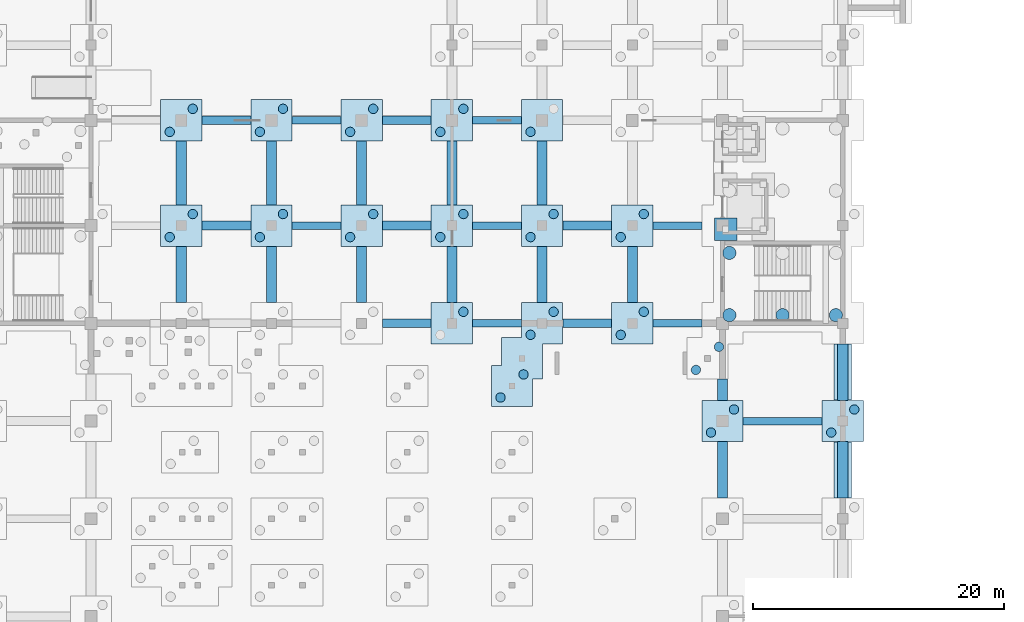
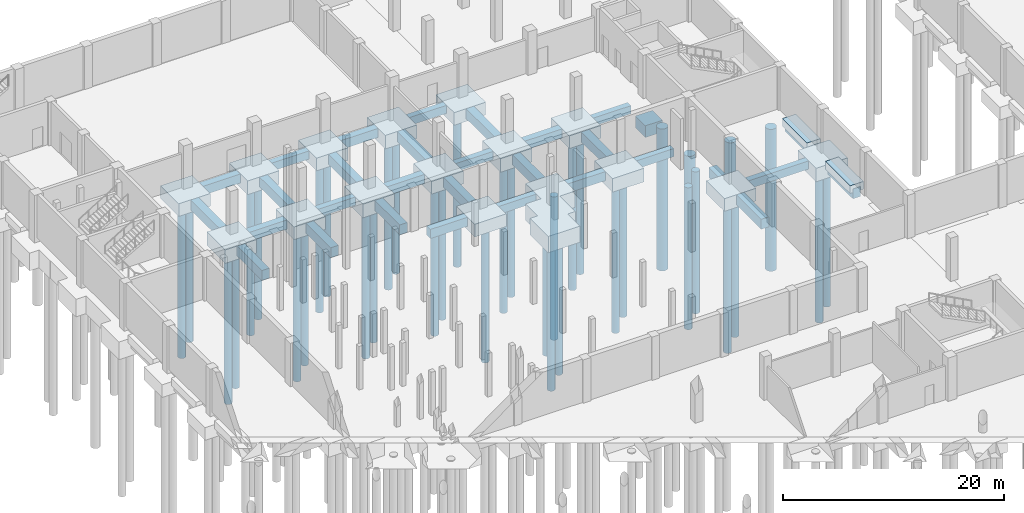
# One storey, part 9 of 42: 49 footings, 38 piles.
"""IFC4 building model written with IfcOpenShell, lengths in metres."""

from ifc_helpers import new_model, si_unit, direction, frame, origin, origin_2d, place, context, subcontext, project, spatial, polyline, rectangle, circle, outline, extrude, material, layer, layer_set, material_profile, profile_set, type_object, element, save


model = new_model("IFC4")

# Units and contexts
model_context = context("Model", 3, precision=1e-05, world=origin(), true_north=direction((0.0, 1.0)))
body_context = subcontext(model_context, "Body", "Model", "MODEL_VIEW")
ifc_project = project(units=[si_unit("LENGTHUNIT", "METRE"), si_unit("AREAUNIT", "SQUARE_METRE"), si_unit("VOLUMEUNIT", "CUBIC_METRE"), si_unit("PLANEANGLEUNIT", "RADIAN"), si_unit("MASSUNIT", "GRAM", prefix="KILO")], contexts=[model_context])

# Site, building, storey
site_placement = place(None, origin())
site = spatial("IfcSite", under=ifc_project, at=site_placement, CompositionType="ELEMENT")
building_placement = place(site_placement, origin())
building = spatial("IfcBuilding", under=site, at=building_placement, Name="Pellamere Symphony Hall", CompositionType="ELEMENT")
storey_placement = place(building_placement, frame((0.0, 0.0, -4.800048828125)))
storey = spatial("IfcBuildingStorey", under=building, at=storey_placement, Name="B1", CompositionType="ELEMENT", Elevation=-4.800048828125)

# Piles
ifc_material_1 = material(Name="Concrete 40 MPa", Category="concrete")
ifc_material_profile_1 = material_profile(ifc_material_1, circle(Radius=0.52490234375, at=origin_2d()), Name="PILE D1050")
ifc_profile_set_1 = profile_set([ifc_material_profile_1], Name="Concrete 40 MPa")
pile_type_1 = type_object("IfcPileType", Name="Bored Pile 1050mm Concrete 40 MPa", PredefinedType="BORED", material=ifc_profile_set_1)
for number, where, z_axis, x_axis, name in (
    (1, (109.75, 78.050048828125, -2.300048828125), (0.0, 0.0, -1.0), (1.0, 0.0, 0.0), "Bored Pile BP-1050-P455"),
    (2, (109.75, 83.01708984375, -2.300048828125), (0.0, 0.0, -1.0), (1.0, 0.0, 0.0), "Bored Pile BP-1050-P456"),
    (3, (114.0, 78.050048828125, -2.300048828125), (0.0, 0.0, -1.0), (1.0, 0.0, 0.0), "Bored Pile BP-1050-P459"),
    (4, (118.25, 78.050048828125, -2.300048828125), (0.0, 0.0, -1.0), (1.0, 0.0, 0.0), "Bored Pile BP-1050-P463"),
):
    element("IfcPile", number, at=place(storey_placement, frame(where, z_axis=z_axis, x_axis=x_axis)), inside=storey, type_object=pile_type_1, Name=name, PredefinedType="BORED", context=body_context, shape_type="SweptSolid", body=[
        extrude(circle(Radius=0.52490234375, at=origin_2d()), origin(), (0.0, 0.0, 1.0), 15.699951171875),
    ])
ifc_material_2 = material(Name="Concrete 35 MPa", Category="concrete")
ifc_material_profile_2 = material_profile(ifc_material_2, circle(Radius=0.375, at=origin_2d()), Name="PILE D750")
ifc_profile_set_2 = profile_set([ifc_material_profile_2], Name="Concrete 35 MPa")
pile_type_2 = type_object("IfcPileType", Name="Bored Pile 750mm Concrete 35 MPa", PredefinedType="BORED", material=ifc_profile_set_2)
for number, where, z_axis, x_axis, name in (
    (5, (108.280029296875, 68.679931640625, -1.75), (0.0, 0.0, -1.0), (1.0, 0.0, 0.0), "Bored Pile BP-750-P397"),
    (6, (110.1201171875, 70.52001953125, -1.75), (0.0, 0.0, -1.0), (1.0, 0.0, 0.0), "Bored Pile BP-750-P398"),
):
    element("IfcPile", number, at=place(storey_placement, frame(where, z_axis=z_axis, x_axis=x_axis)), inside=storey, type_object=pile_type_2, Name=name, PredefinedType="BORED", context=body_context, shape_type="SweptSolid", body=[
        extrude(circle(Radius=0.375, at=origin_2d()), origin(), (0.0, 0.0, 1.0), 16.25),
    ])
for number, where, z_axis, x_axis, name in (
    (7, (117.8798828125, 68.679931640625, -1.849853515625), (0.0, 0.0, -1.0), (1.0, 0.0, 0.0), "Bored Pile BP-750-P399"),
    (8, (119.719970703125, 70.52001953125, -1.849853515625), (0.0, 0.0, -1.0), (1.0, 0.0, 0.0), "Bored Pile BP-750-P400"),
):
    element("IfcPile", number, at=place(storey_placement, frame(where, z_axis=z_axis, x_axis=x_axis)), inside=storey, type_object=pile_type_2, Name=name, PredefinedType="BORED", context=body_context, shape_type="SweptSolid", body=[
        extrude(circle(Radius=0.375, at=origin_2d()), origin(), (0.0, 0.0, 1.0), 16.14990234375),
    ])
for number, where, z_axis, x_axis, name in (
    (9, (93.8798828125, 76.47998046875, -2.14990234375), (0.0, 0.0, -1.0), (1.0, 0.0, 0.0), "Bored Pile BP-750-P451"),
    (10, (95.719970703125, 78.320068359375, -2.14990234375), (0.0, 0.0, -1.0), (1.0, 0.0, 0.0), "Bored Pile BP-750-P452"),
    (11, (91.47998046875, 71.47998046875, -2.14990234375), (0.0, 0.0, -1.0), (1.0, 0.0, 0.0), "Bored Pile BP-750-P453"),
    (12, (93.320068359375, 73.320068359375, -2.14990234375), (0.0, 0.0, -1.0), (1.0, 0.0, 0.0), "Bored Pile BP-750-P454"),
):
    element("IfcPile", number, at=place(storey_placement, frame(where, z_axis=z_axis, x_axis=x_axis)), inside=storey, type_object=pile_type_2, Name=name, PredefinedType="BORED", context=body_context, shape_type="SweptSolid", body=[
        extrude(circle(Radius=0.375, at=origin_2d()), origin(), (0.0, 0.0, 1.0), 15.85009765625),
    ])
for number, where, z_axis, x_axis, name in (
    (13, (107.080078125, 73.679931640625, -2.300048828125), (0.0, 0.0, -1.0), (1.0, 0.0, 0.0), "Bored Pile BP-750-P468"),
    (14, (108.919921875, 75.52001953125, -2.300048828125), (0.0, 0.0, -1.0), (1.0, 0.0, 0.0), "Bored Pile BP-750-P469"),
):
    element("IfcPile", number, at=place(storey_placement, frame(where, z_axis=z_axis, x_axis=x_axis)), inside=storey, type_object=pile_type_2, Name=name, PredefinedType="BORED", context=body_context, shape_type="SweptSolid", body=[
        extrude(circle(Radius=0.375, at=origin_2d()), origin(), (0.0, 0.0, 1.0), 15.699951171875),
    ])
pile_1_placement = place(storey_placement, frame((88.52001953125, 78.320068359375, -1.75), z_axis=(0.0, 0.0, -1.0), x_axis=(1.0, 0.0, 0.0)))
element("IfcPile", 15, at=pile_1_placement, inside=storey, type_object=pile_type_2, Name="Bored Pile BP-750-P473", PredefinedType="BORED", context=body_context, shape_type="SweptSolid", body=[
    extrude(circle(Radius=0.375, at=origin_2d()), origin(), (0.0, 0.0, 1.0), 16.25),
])
for number, where, z_axis, x_axis, name in (
    (16, (101.080078125, 76.47998046875, -1.849853515625), (0.0, 0.0, -1.0), (1.0, 0.0, 0.0), "Bored Pile BP-750-P474"),
    (17, (102.919921875, 78.320068359375, -1.849853515625), (0.0, 0.0, -1.0), (1.0, 0.0, 0.0), "Bored Pile BP-750-P475"),
    (18, (65.080078125, 84.280029296875, -1.849853515625), (0.0, 0.0, -1.0), (1.0, 0.0, 0.0), "Bored Pile BP-750-P482"),
    (19, (66.919921875, 86.1201171875, -1.849853515625), (0.0, 0.0, -1.0), (1.0, 0.0, 0.0), "Bored Pile BP-750-P483"),
):
    element("IfcPile", number, at=place(storey_placement, frame(where, z_axis=z_axis, x_axis=x_axis)), inside=storey, type_object=pile_type_2, Name=name, PredefinedType="BORED", context=body_context, shape_type="SweptSolid", body=[
        extrude(circle(Radius=0.375, at=origin_2d()), origin(), (0.0, 0.0, 1.0), 16.14990234375),
    ])
for number, where, z_axis, x_axis, name in (
    (20, (72.280029296875, 84.280029296875, -1.75), (0.0, 0.0, -1.0), (1.0, 0.0, 0.0), "Bored Pile BP-750-P484"),
    (21, (74.1201171875, 86.1201171875, -1.75), (0.0, 0.0, -1.0), (1.0, 0.0, 0.0), "Bored Pile BP-750-P485"),
):
    element("IfcPile", number, at=place(storey_placement, frame(where, z_axis=z_axis, x_axis=x_axis)), inside=storey, type_object=pile_type_2, Name=name, PredefinedType="BORED", context=body_context, shape_type="SweptSolid", body=[
        extrude(circle(Radius=0.375, at=origin_2d()), origin(), (0.0, 0.0, 1.0), 16.25),
    ])
for number, where, z_axis, x_axis, name in (
    (22, (79.47998046875, 84.280029296875, -1.849853515625), (0.0, 0.0, -1.0), (1.0, 0.0, 0.0), "Bored Pile BP-750-P486"),
    (23, (81.320068359375, 86.1201171875, -1.849853515625), (0.0, 0.0, -1.0), (1.0, 0.0, 0.0), "Bored Pile BP-750-P487"),
):
    element("IfcPile", number, at=place(storey_placement, frame(where, z_axis=z_axis, x_axis=x_axis)), inside=storey, type_object=pile_type_2, Name=name, PredefinedType="BORED", context=body_context, shape_type="SweptSolid", body=[
        extrude(circle(Radius=0.375, at=origin_2d()), origin(), (0.0, 0.0, 1.0), 16.14990234375),
    ])
for number, where, z_axis, x_axis, name in (
    (24, (86.679931640625, 84.280029296875, -1.75), (0.0, 0.0, -1.0), (1.0, 0.0, 0.0), "Bored Pile BP-750-P488"),
    (25, (88.52001953125, 86.1201171875, -1.75), (0.0, 0.0, -1.0), (1.0, 0.0, 0.0), "Bored Pile BP-750-P489"),
):
    element("IfcPile", number, at=place(storey_placement, frame(where, z_axis=z_axis, x_axis=x_axis)), inside=storey, type_object=pile_type_2, Name=name, PredefinedType="BORED", context=body_context, shape_type="SweptSolid", body=[
        extrude(circle(Radius=0.375, at=origin_2d()), origin(), (0.0, 0.0, 1.0), 16.25),
    ])
for number, where, z_axis, x_axis, name in (
    (26, (93.8798828125, 84.280029296875, -1.849853515625), (0.0, 0.0, -1.0), (1.0, 0.0, 0.0), "Bored Pile BP-750-P490"),
    (27, (95.719970703125, 86.1201171875, -1.849853515625), (0.0, 0.0, -1.0), (1.0, 0.0, 0.0), "Bored Pile BP-750-P491"),
):
    element("IfcPile", number, at=place(storey_placement, frame(where, z_axis=z_axis, x_axis=x_axis)), inside=storey, type_object=pile_type_2, Name=name, PredefinedType="BORED", context=body_context, shape_type="SweptSolid", body=[
        extrude(circle(Radius=0.375, at=origin_2d()), origin(), (0.0, 0.0, 1.0), 16.14990234375),
    ])
for number, where, z_axis, x_axis, name in (
    (28, (101.080078125, 84.280029296875, -1.75), (0.0, 0.0, -1.0), (1.0, 0.0, 0.0), "Bored Pile BP-750-P492"),
    (29, (102.919921875, 86.1201171875, -1.75), (0.0, 0.0, -1.0), (1.0, 0.0, 0.0), "Bored Pile BP-750-P493"),
    (30, (65.080078125, 92.679931640625, -1.75), (0.0, 0.0, -1.0), (1.0, 0.0, 0.0), "Bored Pile BP-750-P500"),
    (31, (66.919921875, 94.52001953125, -1.75), (0.0, 0.0, -1.0), (1.0, 0.0, 0.0), "Bored Pile BP-750-P501"),
):
    element("IfcPile", number, at=place(storey_placement, frame(where, z_axis=z_axis, x_axis=x_axis)), inside=storey, type_object=pile_type_2, Name=name, PredefinedType="BORED", context=body_context, shape_type="SweptSolid", body=[
        extrude(circle(Radius=0.375, at=origin_2d()), origin(), (0.0, 0.0, 1.0), 16.25),
    ])
for number, where, z_axis, x_axis, name in (
    (32, (72.280029296875, 92.679931640625, -1.849853515625), (0.0, 0.0, -1.0), (1.0, 0.0, 0.0), "Bored Pile BP-750-P502"),
    (33, (74.1201171875, 94.52001953125, -1.849853515625), (0.0, 0.0, -1.0), (1.0, 0.0, 0.0), "Bored Pile BP-750-P503"),
):
    element("IfcPile", number, at=place(storey_placement, frame(where, z_axis=z_axis, x_axis=x_axis)), inside=storey, type_object=pile_type_2, Name=name, PredefinedType="BORED", context=body_context, shape_type="SweptSolid", body=[
        extrude(circle(Radius=0.375, at=origin_2d()), origin(), (0.0, 0.0, 1.0), 16.14990234375),
    ])
for number, where, z_axis, x_axis, name in (
    (34, (79.47998046875, 92.679931640625, -1.75), (0.0, 0.0, -1.0), (1.0, 0.0, 0.0), "Bored Pile BP-750-P504"),
    (35, (81.320068359375, 94.52001953125, -1.75), (0.0, 0.0, -1.0), (1.0, 0.0, 0.0), "Bored Pile BP-750-P505"),
):
    element("IfcPile", number, at=place(storey_placement, frame(where, z_axis=z_axis, x_axis=x_axis)), inside=storey, type_object=pile_type_2, Name=name, PredefinedType="BORED", context=body_context, shape_type="SweptSolid", body=[
        extrude(circle(Radius=0.375, at=origin_2d()), origin(), (0.0, 0.0, 1.0), 16.25),
    ])
for number, where, z_axis, x_axis, name in (
    (36, (86.679931640625, 92.679931640625, -1.849853515625), (0.0, 0.0, -1.0), (1.0, 0.0, 0.0), "Bored Pile BP-750-P506"),
    (37, (88.52001953125, 94.52001953125, -1.849853515625), (0.0, 0.0, -1.0), (1.0, 0.0, 0.0), "Bored Pile BP-750-P507"),
):
    element("IfcPile", number, at=place(storey_placement, frame(where, z_axis=z_axis, x_axis=x_axis)), inside=storey, type_object=pile_type_2, Name=name, PredefinedType="BORED", context=body_context, shape_type="SweptSolid", body=[
        extrude(circle(Radius=0.375, at=origin_2d()), origin(), (0.0, 0.0, 1.0), 16.14990234375),
    ])
pile_2_placement = place(storey_placement, frame((93.8798828125, 92.679931640625, -1.75), z_axis=(0.0, 0.0, -1.0), x_axis=(1.0, 0.0, 0.0)))
element("IfcPile", 38, at=pile_2_placement, inside=storey, type_object=pile_type_2, Name="Bored Pile BP-750-P508", PredefinedType="BORED", context=body_context, shape_type="SweptSolid", body=[
    extrude(circle(Radius=0.375, at=origin_2d()), origin(), (0.0, 0.0, 1.0), 16.25),
])

# Footings
ifc_layer_1 = layer(ifc_material_1, 1.300048828125, Name="Concrete 40 MPa")
ifc_layer_set_1 = layer_set([ifc_layer_1], Name="Concrete 40 MPa")
footing_type_1 = type_object("IfcFootingType", Name="Concrete Pad Footing PF-01 1800x1800x1300", PredefinedType="PAD_FOOTING", material=ifc_layer_set_1)
footing_1_placement = place(storey_placement, frame((0.0, 0.0, -3.780029296875)))
element("IfcFooting", 39, at=footing_1_placement, inside=storey, type_object=footing_type_1, Name="Elevator Sub-Pit Pad Footing PF-01-221", PredefinedType="PAD_FOOTING", context=body_context, shape_type="SweptSolid", body=[
    extrude(outline(polyline([(108.550048828125, 84.0), (108.550048828125, 85.800048828125), (110.35009765625, 85.800048828125), (110.35009765625, 84.0), (108.550048828125, 84.0)])), origin(), (0.0, 0.0, 1.0), 1.300048828125),
])
ifc_material_profile_3 = material_profile(ifc_material_1, rectangle(XDim=0.60009765625, YDim=0.89990234375, at=origin_2d()), Name="RC 600x900")
ifc_profile_set_3 = profile_set([ifc_material_profile_3], Name="Concrete 40 MPa")
footing_type_2 = type_object("IfcFootingType", Name="Foundation FB-01 600x900", PredefinedType="FOOTING_BEAM", material=ifc_profile_set_3)
footing_2_placement = place(storey_placement, frame((110.85205078125, 69.60009765625, -0.89990234375), z_axis=(1.0, 0.0, 0.0), x_axis=(0.0, 1.0, 0.0)))
element("IfcFooting", 40, at=footing_2_placement, inside=storey, type_object=footing_type_2, Name="Foundation Beam FB-01-174", PredefinedType="FOOTING_BEAM", context=body_context, shape_type="SweptSolid", body=[
    extrude(rectangle(XDim=0.60009765625, YDim=0.89990234375, at=origin_2d()), origin(), (0.0, 0.0, 1.0), 6.2958984375),
])
for number, where, z_axis, x_axis, name in (
    (41, (89.251953125, 77.39990234375, -0.89990234375), (1.0, 0.0, 0.0), (0.0, 1.0, 0.0), "Foundation Beam FB-01-182"),
    (42, (103.652099609375, 77.39990234375, -0.89990234375), (1.0, 0.0, 0.0), (0.0, 1.0, 0.0), "Foundation Beam FB-01-184"),
    (43, (74.85205078125, 85.199951171875, -0.89990234375), (1.0, 0.0, 0.0), (0.0, 1.0, 0.0), "Foundation Beam FB-01-190"),
    (44, (89.251953125, 85.199951171875, -0.89990234375), (1.0, 0.0, 0.0), (0.0, 1.0, 0.0), "Foundation Beam FB-01-192"),
    (45, (103.652099609375, 85.199951171875, -0.89990234375), (1.0, 0.0, 0.0), (0.0, 1.0, 0.0), "Foundation Beam FB-01-194"),
    (46, (74.85205078125, 93.60009765625, -0.89990234375), (1.0, 0.0, 0.0), (0.0, 1.0, 0.0), "Foundation Beam FB-01-200"),
    (47, (89.251953125, 93.60009765625, -0.89990234375), (1.0, 0.0, 0.0), (0.0, 1.0, 0.0), "Foundation Beam FB-01-202"),
):
    element("IfcFooting", number, at=place(storey_placement, frame(where, z_axis=z_axis, x_axis=x_axis)), inside=storey, type_object=footing_type_2, Name=name, PredefinedType="FOOTING_BEAM", context=body_context, shape_type="SweptSolid", body=[
        extrude(rectangle(XDim=0.60009765625, YDim=0.89990234375, at=origin_2d()), origin(), (0.0, 0.0, 1.0), 3.89599609375),
    ])
ifc_material_profile_4 = material_profile(ifc_material_1, rectangle(XDim=0.699951171875, YDim=1.0, at=origin_2d()), Name="RC 700x1000")
ifc_profile_set_4 = profile_set([ifc_material_profile_4], Name="Concrete 40 MPa")
footing_type_3 = type_object("IfcFootingType", Name="Foundation FB-02 700x1000", PredefinedType="FOOTING_BEAM", material=ifc_profile_set_4)
for number, where, z_axis, x_axis, name in (
    (48, (82.052001953125, 77.39990234375, -0.949951171875), (1.0, 0.0, 0.0), (0.0, 1.0, 0.0), "Foundation Beam FB-02-181"),
    (49, (96.451904296875, 77.39990234375, -0.949951171875), (1.0, 0.0, 0.0), (0.0, 1.0, 0.0), "Foundation Beam FB-02-183"),
    (50, (67.652099609375, 85.199951171875, -0.949951171875), (1.0, 0.0, 0.0), (0.0, 1.0, 0.0), "Foundation Beam FB-02-189"),
    (51, (82.052001953125, 85.199951171875, -0.949951171875), (1.0, 0.0, 0.0), (0.0, 1.0, 0.0), "Foundation Beam FB-02-191"),
    (52, (96.451904296875, 85.199951171875, -0.949951171875), (1.0, 0.0, 0.0), (0.0, 1.0, 0.0), "Foundation Beam FB-02-193"),
    (53, (67.652099609375, 93.60009765625, -0.949951171875), (1.0, 0.0, 0.0), (0.0, 1.0, 0.0), "Foundation Beam FB-02-199"),
    (54, (82.052001953125, 93.60009765625, -0.949951171875), (1.0, 0.0, 0.0), (0.0, 1.0, 0.0), "Foundation Beam FB-02-201"),
):
    element("IfcFooting", number, at=place(storey_placement, frame(where, z_axis=z_axis, x_axis=x_axis)), inside=storey, type_object=footing_type_3, Name=name, PredefinedType="FOOTING_BEAM", context=body_context, shape_type="SweptSolid", body=[
        extrude(rectangle(XDim=0.699951171875, YDim=1.0, at=origin_2d()), origin(), (0.0, 0.0, 1.0), 3.89599609375),
    ])
ifc_material_profile_5 = material_profile(ifc_material_1, rectangle(XDim=0.800048828125, YDim=1.10009765625, at=origin_2d()), Name="RC 800x1100")
ifc_profile_set_5 = profile_set([ifc_material_profile_5], Name="Concrete 40 MPa")
footing_type_4 = type_object("IfcFootingType", Name="Foundation FB-03 800x1100", PredefinedType="FOOTING_BEAM", material=ifc_profile_set_5)
footing_3_placement = place(storey_placement, frame((66.0, 79.052001953125, -1.0), z_axis=(0.0, 1.0, 0.0), x_axis=(-1.0, 0.0, 0.0)))
element("IfcFooting", 55, at=footing_3_placement, inside=storey, type_object=footing_type_4, Name="Foundation Beam FB-03-286", PredefinedType="FOOTING_BEAM", context=body_context, shape_type="SweptSolid", body=[
    extrude(rectangle(XDim=0.800048828125, YDim=1.10009765625, at=origin_2d()), origin(), (0.0, 0.0, 1.0), 4.49609375),
])
footing_4_placement = place(storey_placement, frame((66.0, 86.85205078125, -1.0), z_axis=(0.0, 1.0, 0.0), x_axis=(-1.0, 0.0, 0.0)))
element("IfcFooting", 56, at=footing_4_placement, inside=storey, type_object=footing_type_4, Name="Foundation Beam FB-03-287", PredefinedType="FOOTING_BEAM", context=body_context, shape_type="SweptSolid", body=[
    extrude(rectangle(XDim=0.800048828125, YDim=1.10009765625, at=origin_2d()), origin(), (0.0, 0.0, 1.0), 5.095947265625),
])
footing_5_placement = place(storey_placement, frame((73.199951171875, 79.052001953125, -1.0), z_axis=(0.0, 1.0, 0.0), x_axis=(-1.0, 0.0, 0.0)))
element("IfcFooting", 57, at=footing_5_placement, inside=storey, type_object=footing_type_4, Name="Foundation Beam FB-03-292", PredefinedType="FOOTING_BEAM", context=body_context, shape_type="SweptSolid", body=[
    extrude(rectangle(XDim=0.800048828125, YDim=1.10009765625, at=origin_2d()), origin(), (0.0, 0.0, 1.0), 4.49609375),
])
footing_6_placement = place(storey_placement, frame((73.199951171875, 86.85205078125, -1.0), z_axis=(0.0, 1.0, 0.0), x_axis=(-1.0, 0.0, 0.0)))
element("IfcFooting", 58, at=footing_6_placement, inside=storey, type_object=footing_type_4, Name="Foundation Beam FB-03-293", PredefinedType="FOOTING_BEAM", context=body_context, shape_type="SweptSolid", body=[
    extrude(rectangle(XDim=0.800048828125, YDim=1.10009765625, at=origin_2d()), origin(), (0.0, 0.0, 1.0), 5.095947265625),
])
footing_7_placement = place(storey_placement, frame((80.39990234375, 79.052001953125, -1.0), z_axis=(0.0, 1.0, 0.0), x_axis=(-1.0, 0.0, 0.0)))
element("IfcFooting", 59, at=footing_7_placement, inside=storey, type_object=footing_type_4, Name="Foundation Beam FB-03-298", PredefinedType="FOOTING_BEAM", context=body_context, shape_type="SweptSolid", body=[
    extrude(rectangle(XDim=0.800048828125, YDim=1.10009765625, at=origin_2d()), origin(), (0.0, 0.0, 1.0), 4.49609375),
])
footing_8_placement = place(storey_placement, frame((80.39990234375, 86.85205078125, -1.0), z_axis=(0.0, 1.0, 0.0), x_axis=(-1.0, 0.0, 0.0)))
element("IfcFooting", 60, at=footing_8_placement, inside=storey, type_object=footing_type_4, Name="Foundation Beam FB-03-299", PredefinedType="FOOTING_BEAM", context=body_context, shape_type="SweptSolid", body=[
    extrude(rectangle(XDim=0.800048828125, YDim=1.10009765625, at=origin_2d()), origin(), (0.0, 0.0, 1.0), 5.095947265625),
])
footing_9_placement = place(storey_placement, frame((87.60009765625, 79.052001953125, -1.0), z_axis=(0.0, 1.0, 0.0), x_axis=(-1.0, 0.0, 0.0)))
element("IfcFooting", 61, at=footing_9_placement, inside=storey, type_object=footing_type_4, Name="Foundation Beam FB-03-304", PredefinedType="FOOTING_BEAM", context=body_context, shape_type="SweptSolid", body=[
    extrude(rectangle(XDim=0.800048828125, YDim=1.10009765625, at=origin_2d()), origin(), (0.0, 0.0, 1.0), 4.49609375),
])
footing_10_placement = place(storey_placement, frame((87.60009765625, 86.85205078125, -1.0), z_axis=(0.0, 1.0, 0.0), x_axis=(-1.0, 0.0, 0.0)))
element("IfcFooting", 62, at=footing_10_placement, inside=storey, type_object=footing_type_4, Name="Foundation Beam FB-03-305", PredefinedType="FOOTING_BEAM", context=body_context, shape_type="SweptSolid", body=[
    extrude(rectangle(XDim=0.800048828125, YDim=1.10009765625, at=origin_2d()), origin(), (0.0, 0.0, 1.0), 5.095947265625),
])
footing_11_placement = place(storey_placement, frame((94.800048828125, 79.052001953125, -1.0), z_axis=(0.0, 1.0, 0.0), x_axis=(-1.0, 0.0, 0.0)))
element("IfcFooting", 63, at=footing_11_placement, inside=storey, type_object=footing_type_4, Name="Foundation Beam FB-03-313", PredefinedType="FOOTING_BEAM", context=body_context, shape_type="SweptSolid", body=[
    extrude(rectangle(XDim=0.800048828125, YDim=1.10009765625, at=origin_2d()), origin(), (0.0, 0.0, 1.0), 4.49609375),
])
footing_12_placement = place(storey_placement, frame((94.800048828125, 86.85205078125, -1.0), z_axis=(0.0, 1.0, 0.0), x_axis=(-1.0, 0.0, 0.0)))
element("IfcFooting", 64, at=footing_12_placement, inside=storey, type_object=footing_type_4, Name="Foundation Beam FB-03-314", PredefinedType="FOOTING_BEAM", context=body_context, shape_type="SweptSolid", body=[
    extrude(rectangle(XDim=0.800048828125, YDim=1.10009765625, at=origin_2d()), origin(), (0.0, 0.0, 1.0), 5.095947265625),
])
for number, where, z_axis, x_axis, name in (
    (65, (102.0, 79.052001953125, -1.0), (0.0, 1.0, 0.0), (-1.0, 0.0, 0.0), "Foundation Beam FB-03-322"),
    (66, (109.199951171875, 63.451904296875, -1.0), (0.0, 1.0, 0.0), (-1.0, 0.0, 0.0), "Foundation Beam FB-03-332"),
):
    element("IfcFooting", number, at=place(storey_placement, frame(where, z_axis=z_axis, x_axis=x_axis)), inside=storey, type_object=footing_type_4, Name=name, PredefinedType="FOOTING_BEAM", context=body_context, shape_type="SweptSolid", body=[
        extrude(rectangle(XDim=0.800048828125, YDim=1.10009765625, at=origin_2d()), origin(), (0.0, 0.0, 1.0), 4.49609375),
    ])
footing_13_placement = place(storey_placement, frame((109.199951171875, 71.251953125, -1.0), z_axis=(0.0, 1.0, 0.0), x_axis=(-1.0, 0.0, 0.0)))
element("IfcFooting", 67, at=footing_13_placement, inside=storey, type_object=footing_type_4, Name="Foundation Beam FB-03-333", PredefinedType="FOOTING_BEAM", context=body_context, shape_type="SweptSolid", body=[
    extrude(rectangle(XDim=0.800048828125, YDim=1.10009765625, at=origin_2d()), origin(), (0.0, 0.0, 1.0), 1.696044921875),
])
for number, where, z_axis, x_axis, name in (
    (68, (118.800048828125, 63.451904296875, -1.0), (0.0, 1.0, 0.0), (-1.0, 0.0, 0.0), "Foundation Beam FB-03-342"),
    (69, (118.800048828125, 71.251953125, -1.0), (0.0, 1.0, 0.0), (-1.0, 0.0, 0.0), "Foundation Beam FB-03-343"),
):
    element("IfcFooting", number, at=place(storey_placement, frame(where, z_axis=z_axis, x_axis=x_axis)), inside=storey, type_object=footing_type_4, Name=name, PredefinedType="FOOTING_BEAM", context=body_context, shape_type="SweptSolid", body=[
        extrude(rectangle(XDim=0.800048828125, YDim=1.10009765625, at=origin_2d()), origin(), (0.0, 0.0, 1.0), 4.49609375),
    ])
ifc_material_profile_6 = material_profile(ifc_material_1, rectangle(XDim=1.39990234375, YDim=0.85009765625, at=origin_2d()), Name="RC 1400x850")
ifc_profile_set_6 = profile_set([ifc_material_profile_6], Name="Concrete 40 MPa")
footing_type_5 = type_object("IfcFootingType", Name="Foundation SF-02 1400x850", PredefinedType="STRIP_FOOTING", material=ifc_profile_set_6)
footing_14_placement = place(storey_placement, frame((118.800048828125, 75.735107421875, -0.425048828125), z_axis=(0.0, -1.0, 0.0), x_axis=(1.0, 0.0, 0.0)))
element("IfcFooting", 70, at=footing_14_placement, inside=storey, type_object=footing_type_5, Name="Foundation Beam SF-02-021", PredefinedType="STRIP_FOOTING", context=body_context, shape_type="SweptSolid", body=[
    extrude(rectangle(XDim=1.39990234375, YDim=0.85009765625, at=origin_2d()), origin(), (0.0, 0.0, 1.0), 4.47021484375),
])
footing_15_placement = place(storey_placement, frame((118.800048828125, 67.93505859375, -0.425048828125), z_axis=(0.0, -1.0, 0.0), x_axis=(1.0, 0.0, 0.0)))
element("IfcFooting", 71, at=footing_15_placement, inside=storey, type_object=footing_type_5, Name="Foundation Beam SF-02-022", PredefinedType="STRIP_FOOTING", context=body_context, shape_type="SweptSolid", body=[
    extrude(rectangle(XDim=1.39990234375, YDim=0.85009765625, at=origin_2d()), origin(), (0.0, 0.0, 1.0), 4.469970703125),
])
ifc_layer_2 = layer(ifc_material_1, 1.39990234375, Name="Concrete 40 MPa")
ifc_layer_set_2 = layer_set([ifc_layer_2], Name="Concrete 40 MPa")
footing_type_6 = type_object("IfcFootingType", Name="Pile Cap PC-02 3300x3300x1400", PredefinedType="PILE_CAP", material=ifc_layer_set_2)
footing_16_placement = place(storey_placement, frame((0.0, 0.0, -1.849853515625)))
element("IfcFooting", 72, at=footing_16_placement, inside=storey, type_object=footing_type_6, Name="Pile Cap PC-02-152", PredefinedType="PILE_CAP", context=body_context, shape_type="SweptSolid", body=[
    extrude(outline(polyline([(110.85009765625, 67.949951171875), (107.550048828125, 67.949951171875), (107.550048828125, 71.25), (110.85009765625, 71.25), (110.85009765625, 67.949951171875)])), origin(), (0.0, 0.0, 1.0), 1.39990234375),
])
footing_17_placement = place(storey_placement, frame((0.0, 0.0, -1.849853515625)))
element("IfcFooting", 73, at=footing_17_placement, inside=storey, type_object=footing_type_6, Name="Pile Cap PC-02-164", PredefinedType="PILE_CAP", context=body_context, shape_type="SweptSolid", body=[
    extrude(outline(polyline([(89.25, 75.75), (85.949951171875, 75.75), (85.949951171875, 79.050048828125), (89.25, 79.050048828125), (89.25, 75.75)])), origin(), (0.0, 0.0, 1.0), 1.39990234375),
])
footing_18_placement = place(storey_placement, frame((0.0, 0.0, -1.849853515625)))
element("IfcFooting", 74, at=footing_18_placement, inside=storey, type_object=footing_type_6, Name="Pile Cap PC-02-170", PredefinedType="PILE_CAP", context=body_context, shape_type="SweptSolid", body=[
    extrude(outline(polyline([(71.550048828125, 83.550048828125), (71.550048828125, 86.85009765625), (74.85009765625, 86.85009765625), (74.85009765625, 83.550048828125), (71.550048828125, 83.550048828125)])), origin(), (0.0, 0.0, 1.0), 1.39990234375),
])
footing_19_placement = place(storey_placement, frame((0.0, 0.0, -1.849853515625)))
element("IfcFooting", 75, at=footing_19_placement, inside=storey, type_object=footing_type_6, Name="Pile Cap PC-02-172", PredefinedType="PILE_CAP", context=body_context, shape_type="SweptSolid", body=[
    extrude(outline(polyline([(85.949951171875, 83.550048828125), (85.949951171875, 86.85009765625), (89.25, 86.85009765625), (89.25, 83.550048828125), (85.949951171875, 83.550048828125)])), origin(), (0.0, 0.0, 1.0), 1.39990234375),
])
footing_20_placement = place(storey_placement, frame((0.0, 0.0, -1.849853515625)))
element("IfcFooting", 76, at=footing_20_placement, inside=storey, type_object=footing_type_6, Name="Pile Cap PC-02-174", PredefinedType="PILE_CAP", context=body_context, shape_type="SweptSolid", body=[
    extrude(outline(polyline([(100.35009765625, 83.550048828125), (100.35009765625, 86.85009765625), (103.64990234375, 86.85009765625), (103.64990234375, 83.550048828125), (100.35009765625, 83.550048828125)])), origin(), (0.0, 0.0, 1.0), 1.39990234375),
])
footing_21_placement = place(storey_placement, frame((0.0, 0.0, -1.849853515625)))
element("IfcFooting", 77, at=footing_21_placement, inside=storey, type_object=footing_type_6, Name="Pile Cap PC-02-178", PredefinedType="PILE_CAP", context=body_context, shape_type="SweptSolid", body=[
    extrude(outline(polyline([(64.35009765625, 91.949951171875), (64.35009765625, 95.25), (67.64990234375, 95.25), (67.64990234375, 91.949951171875), (64.35009765625, 91.949951171875)])), origin(), (0.0, 0.0, 1.0), 1.39990234375),
])
footing_22_placement = place(storey_placement, frame((0.0, 0.0, -1.849853515625)))
element("IfcFooting", 78, at=footing_22_placement, inside=storey, type_object=footing_type_6, Name="Pile Cap PC-02-180", PredefinedType="PILE_CAP", context=body_context, shape_type="SweptSolid", body=[
    extrude(outline(polyline([(78.75, 91.949951171875), (78.75, 95.25), (82.050048828125, 95.25), (82.050048828125, 91.949951171875), (78.75, 91.949951171875)])), origin(), (0.0, 0.0, 1.0), 1.39990234375),
])
footing_23_placement = place(storey_placement, frame((0.0, 0.0, -1.849853515625)))
element("IfcFooting", 79, at=footing_23_placement, inside=storey, type_object=footing_type_6, Name="Pile Cap PC-02-182", PredefinedType="PILE_CAP", context=body_context, shape_type="SweptSolid", body=[
    extrude(outline(polyline([(96.449951171875, 91.949951171875), (93.14990234375, 91.949951171875), (93.14990234375, 95.25), (96.449951171875, 95.25), (96.449951171875, 91.949951171875)])), origin(), (0.0, 0.0, 1.0), 1.39990234375),
])
ifc_layer_3 = layer(ifc_material_1, 1.5, Name="Concrete 40 MPa")
ifc_layer_set_3 = layer_set([ifc_layer_3], Name="Concrete 40 MPa")
footing_type_7 = type_object("IfcFootingType", Name="Pile Cap PC-03 3300x3300x1500", PredefinedType="PILE_CAP", material=ifc_layer_set_3)
footing_24_placement = place(storey_placement, frame((0.0, 0.0, -1.949951171875)))
element("IfcFooting", 80, at=footing_24_placement, inside=storey, type_object=footing_type_7, Name="Pile Cap PC-03-153", PredefinedType="PILE_CAP", context=body_context, shape_type="SweptSolid", body=[
    extrude(outline(polyline([(120.449951171875, 67.949951171875), (117.14990234375, 67.949951171875), (117.14990234375, 71.25), (120.449951171875, 71.25), (120.449951171875, 67.949951171875)])), origin(), (0.0, 0.0, 1.0), 1.5),
])
footing_25_placement = place(storey_placement, frame((0.0, 0.0, -1.949951171875)))
element("IfcFooting", 81, at=footing_25_placement, inside=storey, type_object=footing_type_7, Name="Pile Cap PC-03-165", PredefinedType="PILE_CAP", context=body_context, shape_type="SweptSolid", body=[
    extrude(outline(polyline([(100.35009765625, 75.75), (100.35009765625, 79.050048828125), (103.64990234375, 79.050048828125), (103.64990234375, 75.75), (100.35009765625, 75.75)])), origin(), (0.0, 0.0, 1.0), 1.5),
])
footing_26_placement = place(storey_placement, frame((0.0, 0.0, -1.949951171875)))
element("IfcFooting", 82, at=footing_26_placement, inside=storey, type_object=footing_type_7, Name="Pile Cap PC-03-169", PredefinedType="PILE_CAP", context=body_context, shape_type="SweptSolid", body=[
    extrude(outline(polyline([(67.64990234375, 83.550048828125), (64.35009765625, 83.550048828125), (64.35009765625, 86.85009765625), (67.64990234375, 86.85009765625), (67.64990234375, 83.550048828125)])), origin(), (0.0, 0.0, 1.0), 1.5),
])
footing_27_placement = place(storey_placement, frame((0.0, 0.0, -1.949951171875)))
element("IfcFooting", 83, at=footing_27_placement, inside=storey, type_object=footing_type_7, Name="Pile Cap PC-03-171", PredefinedType="PILE_CAP", context=body_context, shape_type="SweptSolid", body=[
    extrude(outline(polyline([(82.050048828125, 83.550048828125), (78.75, 83.550048828125), (78.75, 86.85009765625), (82.050048828125, 86.85009765625), (82.050048828125, 83.550048828125)])), origin(), (0.0, 0.0, 1.0), 1.5),
])
footing_28_placement = place(storey_placement, frame((0.0, 0.0, -1.949951171875)))
element("IfcFooting", 84, at=footing_28_placement, inside=storey, type_object=footing_type_7, Name="Pile Cap PC-03-173", PredefinedType="PILE_CAP", context=body_context, shape_type="SweptSolid", body=[
    extrude(outline(polyline([(93.14990234375, 83.550048828125), (93.14990234375, 86.85009765625), (96.449951171875, 86.85009765625), (96.449951171875, 83.550048828125), (93.14990234375, 83.550048828125)])), origin(), (0.0, 0.0, 1.0), 1.5),
])
footing_29_placement = place(storey_placement, frame((0.0, 0.0, -1.949951171875)))
element("IfcFooting", 85, at=footing_29_placement, inside=storey, type_object=footing_type_7, Name="Pile Cap PC-03-179", PredefinedType="PILE_CAP", context=body_context, shape_type="SweptSolid", body=[
    extrude(outline(polyline([(71.550048828125, 91.949951171875), (71.550048828125, 95.25), (74.85009765625, 95.25), (74.85009765625, 91.949951171875), (71.550048828125, 91.949951171875)])), origin(), (0.0, 0.0, 1.0), 1.5),
])
footing_30_placement = place(storey_placement, frame((0.0, 0.0, -1.949951171875)))
element("IfcFooting", 86, at=footing_30_placement, inside=storey, type_object=footing_type_7, Name="Pile Cap PC-03-181", PredefinedType="PILE_CAP", context=body_context, shape_type="SweptSolid", body=[
    extrude(outline(polyline([(85.949951171875, 91.949951171875), (85.949951171875, 95.25), (89.25, 95.25), (89.25, 91.949951171875), (85.949951171875, 91.949951171875)])), origin(), (0.0, 0.0, 1.0), 1.5),
])
ifc_layer_4 = layer(ifc_material_1, 1.800048828125, Name="Concrete 40 MPa")
ifc_layer_set_4 = layer_set([ifc_layer_4], Name="Concrete 40 MPa")
footing_type_8 = type_object("IfcFootingType", Name="Pile Cap PC-07 4850x6850x1800", PredefinedType="PILE_CAP", material=ifc_layer_set_4)
footing_31_placement = place(storey_placement, frame((0.0, 0.0, -2.25)))
element("IfcFooting", 87, at=footing_31_placement, inside=storey, type_object=footing_type_8, Name="Pile Cap PC-07-161", PredefinedType="PILE_CAP", context=body_context, shape_type="SweptSolid", body=[
    extrude(outline(polyline([(90.75, 70.75), (90.75, 74.050048828125), (91.550048828125, 74.050048828125), (91.550048828125, 76.25), (93.14990234375, 76.25), (93.14990234375, 79.050048828125), (96.449951171875, 79.050048828125), (96.449951171875, 75.75), (94.85009765625, 75.75), (94.85009765625, 72.949951171875), (94.050048828125, 72.949951171875), (94.050048828125, 70.75), (90.75, 70.75)])), origin(), (0.0, 0.0, 1.0), 1.800048828125),
])

save(model, "model.ifc")
